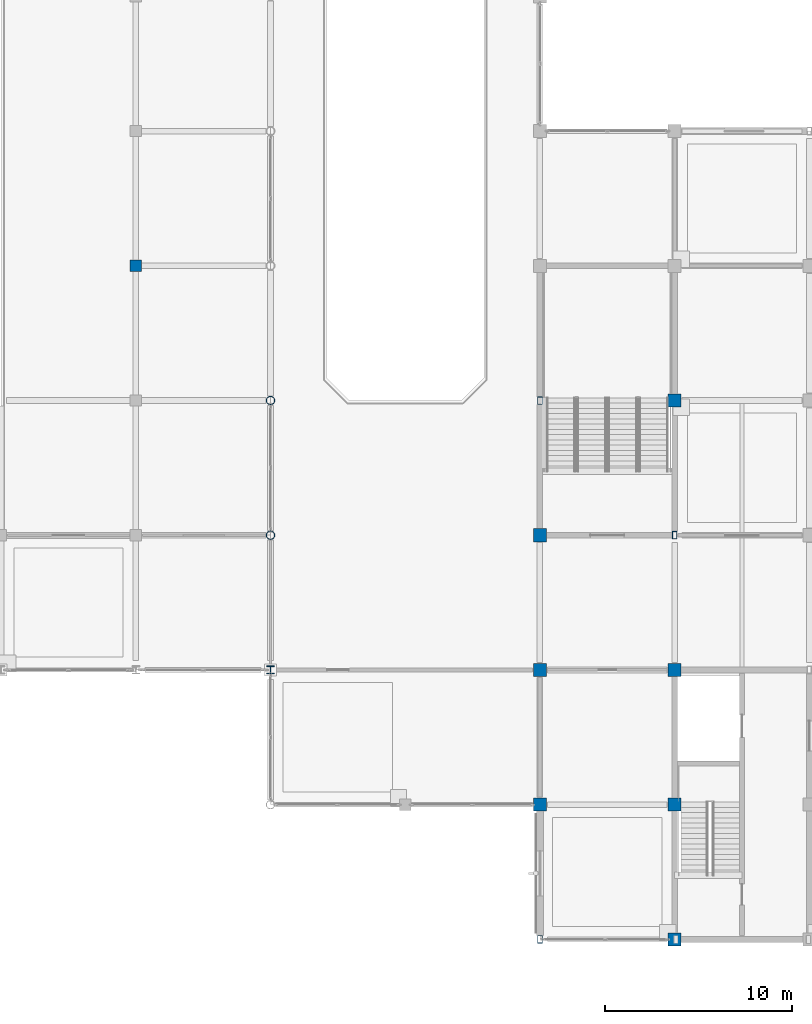
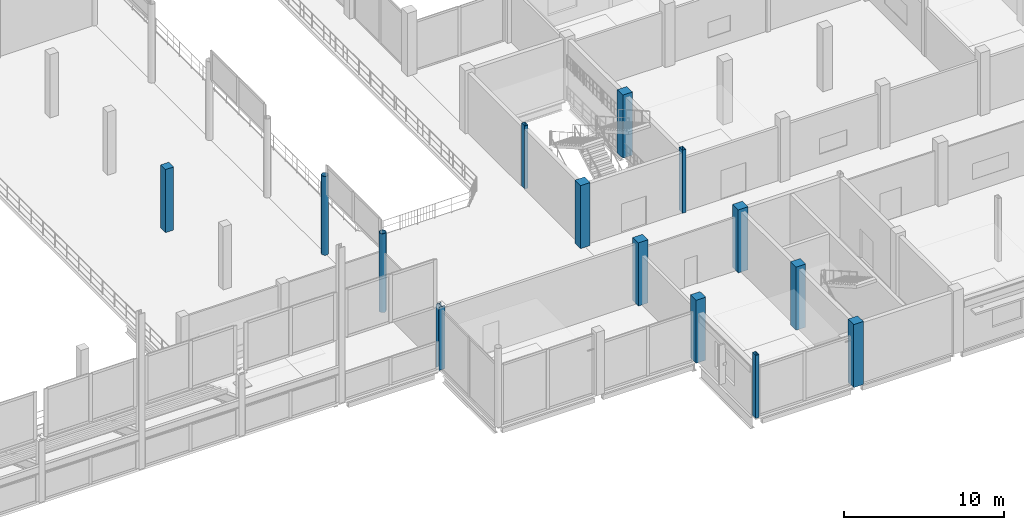
# One storey, part 4 of 120: 14 columns.
"""IFC4 building model written with IfcOpenShell, lengths in metres."""

from ifc_helpers import new_model, si_unit, direction, frame, origin, origin_2d, place, context, subcontext, project, spatial, rectangle, hollow_rectangle, hollow_circle, i_section, extrude, material, material_profile, profile_set, type_object, element, save


model = new_model("IFC4")

# Units and contexts
model_context = context("Model", 3, precision=1e-05, world=origin(), true_north=direction((0.0, 1.0)))
body_context = subcontext(model_context, "Body", "Model", "MODEL_VIEW")
ifc_project = project(units=[si_unit("LENGTHUNIT", "METRE"), si_unit("AREAUNIT", "SQUARE_METRE"), si_unit("VOLUMEUNIT", "CUBIC_METRE"), si_unit("PLANEANGLEUNIT", "RADIAN"), si_unit("MASSUNIT", "GRAM", prefix="KILO")], contexts=[model_context])

# Site, building, storey
site_placement = place(None, origin())
site = spatial("IfcSite", under=ifc_project, at=site_placement, CompositionType="ELEMENT")
building_placement = place(site_placement, origin())
building = spatial("IfcBuilding", under=site, at=building_placement, Name="Vesperath Aquatics Centre", CompositionType="ELEMENT")
storey_placement = place(building_placement, frame((0.0, 0.0, 10.199951171875)))
storey = spatial("IfcBuildingStorey", under=building, at=storey_placement, Name="L02", CompositionType="ELEMENT", Elevation=10.199951171875)

# Columns
ifc_material_1 = material(Name="Concrete C40", Category="concrete")
ifc_material_profile_1 = material_profile(ifc_material_1, rectangle(XDim=0.699951171875, YDim=0.699951171875, at=origin_2d()), Name="RC 700x700")
ifc_profile_set_1 = profile_set([ifc_material_profile_1], Name="Concrete C40")
column_type_1 = type_object("IfcColumnType", Name="CL-C05", PredefinedType="COLUMN", material=ifc_profile_set_1)
for number, where, z_axis, x_axis, name in (
    (1, (115.199951171875, 7.199951171875, 0.0), (0.0, 0.0, 1.0), (1.0, 0.0, 0.0), "Column C05 L02 17/B"),
    (2, (115.199951171875, 14.39990234375, 0.0), (0.0, 0.0, 1.0), (1.0, 0.0, 0.0), "Column C05 L02 17/C"),
    (3, (115.199951171875, 21.60009765625, 0.0), (0.0, 0.0, 1.0), (1.0, 0.0, 0.0), "Column C05 L02 17/D"),
    (4, (122.39990234375, 0.0, 0.0), (0.0, 0.0, 1.0), (1.0, 0.0, 0.0), "Column C05 L02 18/A"),
    (5, (122.39990234375, 7.199951171875, 0.0), (0.0, 0.0, 1.0), (1.0, 0.0, 0.0), "Column C05 L02 18/B"),
    (6, (122.39990234375, 14.39990234375, 0.0), (0.0, 0.0, 1.0), (1.0, 0.0, 0.0), "Column C05 L02 18/C"),
    (7, (122.39990234375, 28.800048828125, 0.0), (0.0, 0.0, 1.0), (1.0, 0.0, 0.0), "Column C05 L02 18/E"),
):
    element("IfcColumn", number, at=place(storey_placement, frame(where, z_axis=z_axis, x_axis=x_axis)), inside=storey, type_object=column_type_1, Name=name, PredefinedType="COLUMN", context=body_context, shape_type="SweptSolid", body=[
        extrude(rectangle(XDim=0.699951171875, YDim=0.699951171875, at=origin_2d()), origin(), (0.0, 0.0, 1.0), 4.800048828125),
    ])
ifc_material_profile_2 = material_profile(ifc_material_1, rectangle(XDim=0.60009765625, YDim=0.60009765625, at=origin_2d()), Name="RC 600x600")
ifc_profile_set_2 = profile_set([ifc_material_profile_2], Name="Concrete C40")
column_type_2 = type_object("IfcColumnType", Name="CL-C06", PredefinedType="COLUMN", material=ifc_profile_set_2)
column_1_placement = place(storey_placement, frame((93.60009765625, 36.0, 0.0), z_axis=(0.0, 0.0, 1.0), x_axis=(1.0, 0.0, 0.0)))
element("IfcColumn", 8, at=column_1_placement, inside=storey, type_object=column_type_2, Name="Column C06 L02 14/F", PredefinedType="COLUMN", context=body_context, shape_type="SweptSolid", body=[
    extrude(rectangle(XDim=0.60009765625, YDim=0.60009765625, at=origin_2d()), origin(), (0.0, 0.0, 1.0), 4.800048828125),
])
ifc_material_2 = material(Name="Steel Q355D", Category="steel")
ifc_material_profile_3 = material_profile(ifc_material_2, i_section(OverallWidth=0.406982421875, OverallDepth=0.427978515625, WebThickness=0.02001953125, FlangeThickness=0.034912109375, FilletRadius=0.02197265625, at=origin_2d()), Name="HW 428x407x20x35")
ifc_profile_set_3 = profile_set([ifc_material_profile_3], Name="Steel Q355D")
column_type_3 = type_object("IfcColumnType", Name="CL-C09", PredefinedType="COLUMN", material=ifc_profile_set_3)
column_2_placement = place(storey_placement, frame((100.800048828125, 14.39990234375, 0.0), z_axis=(0.0, 0.0, 1.0), x_axis=(1.0, 0.0, 0.0)))
element("IfcColumn", 9, at=column_2_placement, inside=storey, type_object=column_type_3, Name="Column C09 L02 15/C", PredefinedType="COLUMN", context=body_context, shape_type="SweptSolid", body=[
    extrude(i_section(OverallWidth=0.406982421875, OverallDepth=0.427978515625, WebThickness=0.02001953125, FlangeThickness=0.034912109375, FilletRadius=0.02197265625, at=origin_2d()), origin(), (0.0, 0.0, 1.0), 4.800048828125),
])
ifc_material_profile_4 = material_profile(ifc_material_2, hollow_circle(Radius=0.228515625, WallThickness=0.02001953125, at=origin_2d()), Name="CHS 457.0x20")
ifc_profile_set_4 = profile_set([ifc_material_profile_4], Name="Steel Q355D")
column_type_4 = type_object("IfcColumnType", Name="CL-C13", PredefinedType="COLUMN", material=ifc_profile_set_4)
for number, where, z_axis, x_axis, name in (
    (10, (100.800048828125, 21.60009765625, 0.0), (0.0, 0.0, 1.0), (1.0, 0.0, 0.0), "Column C13 L02 15/D"),
    (11, (100.800048828125, 28.800048828125, 0.0), (0.0, 0.0, 1.0), (1.0, 0.0, 0.0), "Column C13 L02 15/E"),
):
    element("IfcColumn", number, at=place(storey_placement, frame(where, z_axis=z_axis, x_axis=x_axis)), inside=storey, type_object=column_type_4, Name=name, PredefinedType="COLUMN", context=body_context, shape_type="SweptSolid", body=[
        extrude(hollow_circle(Radius=0.228515625, WallThickness=0.02001953125, at=origin_2d()), origin(), (0.0, 0.0, 1.0), 6.0),
    ])
ifc_material_profile_5 = material_profile(ifc_material_2, hollow_rectangle(XDim=0.25, YDim=0.39990234375, WallThickness=0.013916015625, at=origin_2d()), Name="RHS 400x250x14")
ifc_profile_set_5 = profile_set([ifc_material_profile_5], Name="Steel Q355D")
column_type_5 = type_object("IfcColumnType", Name="CL-C15", PredefinedType="COLUMN", material=ifc_profile_set_5)
for number, where, z_axis, x_axis, name in (
    (12, (115.199951171875, 0.0, 0.0), (0.0, 0.0, 1.0), (1.0, 0.0, 0.0), "Column C15 L02 17/A"),
    (13, (115.199951171875, 28.800048828125, 0.0), (0.0, 0.0, 1.0), (1.0, 0.0, 0.0), "Column C15 L02 17/E"),
    (14, (122.39990234375, 21.60009765625, 0.0), (0.0, 0.0, 1.0), (1.0, 0.0, 0.0), "Column C15 L02 18/D"),
):
    element("IfcColumn", number, at=place(storey_placement, frame(where, z_axis=z_axis, x_axis=x_axis)), inside=storey, type_object=column_type_5, Name=name, PredefinedType="COLUMN", context=body_context, shape_type="SweptSolid", body=[
        extrude(hollow_rectangle(XDim=0.25, YDim=0.39990234375, WallThickness=0.013916015625, at=origin_2d()), origin(), (0.0, 0.0, 1.0), 4.800048828125),
    ])

save(model, "model.ifc")
